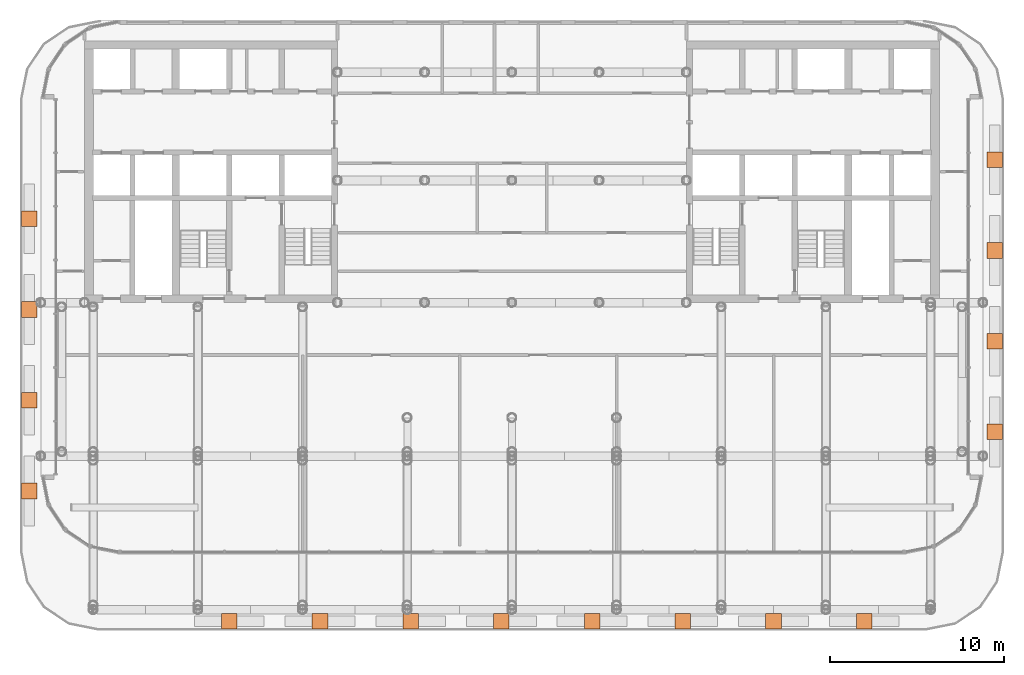
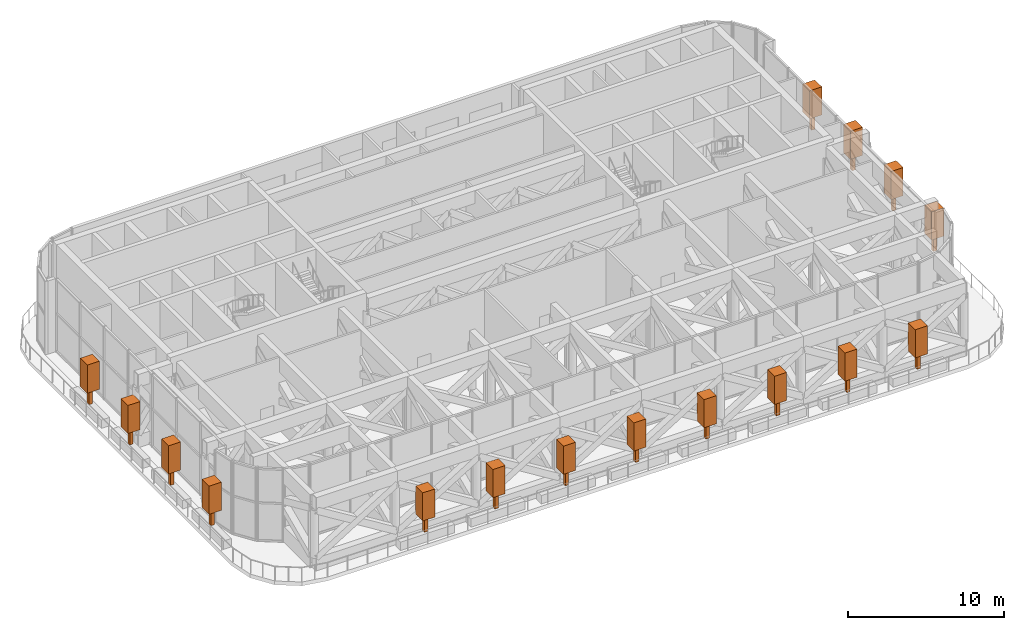
# One storey, part 20 of 20: 16 geographic elements.
"""IFC4 building model written with IfcOpenShell, lengths in metres."""

import ifcopenshell
import ifcopenshell.guid

model = None  # the IFC model being written
_history = None  # IfcOwnerHistory: only IFC2X3 demands one
_inside = {}  # id of a spatial element -> (the spatial element, [elements in it])
_under = {}  # id of a project, library or spatial element -> (it, [spatial elements below it])
_declared = {}  # id of a project -> (the project, [libraries it declares])
_typed = {}  # id of a type object -> (the type object, [elements of that type])
_made_of = {}  # id of a material, layer set ... -> (it, [elements and type objects made of it])


def new_model(schema):
    """Start an empty IFC model of exactly this schema.

    Asked for "IFC4X3", IfcOpenShell would pick the latest addendum, in which some entities
    have other attributes; the version numbers below select the first issue.
    IFC2X3 requires an IfcOwnerHistory on every rooted entity: one is made here for all.
    """
    global model, _history
    if schema == "IFC4X3":
        model = ifcopenshell.file(schema_version=(4, 3, 0, 0))
    else:
        model = ifcopenshell.file(schema=schema)
    _inside.clear()
    _under.clear()
    _declared.clear()
    _typed.clear()
    _made_of.clear()
    _history = None
    if model.schema == "IFC2X3":
        org = make("IfcOrganization", Name="unknown")
        user = make(
            "IfcPersonAndOrganization",
            ThePerson=make("IfcPerson", FamilyName="unknown"),
            TheOrganization=org,
        )
        app = make(
            "IfcApplication",
            ApplicationDeveloper=org,
            Version="unknown",
            ApplicationFullName="unknown",
            ApplicationIdentifier="unknown",
        )
        _history = make(
            "IfcOwnerHistory",
            OwningUser=user,
            OwningApplication=app,
            ChangeAction="ADDED",
            CreationDate=0,
        )
    return model


def make(cls, **values):
    """One entity of the class cls with the attributes given. An attribute that is None is left unset."""
    return model.create_entity(
        cls, **{name: value for name, value in values.items() if value is not None}
    )


def rooted(cls, **values):
    """An entity with a GlobalId (a new one), such as an element, a storey or a relation."""
    return make(cls, GlobalId=ifcopenshell.guid.new(), OwnerHistory=_history, **values)


def si_unit(unit_type, name, prefix=None):
    """IfcSIUnit, for example si_unit("LENGTHUNIT", "METRE", prefix="MILLI")."""
    return make("IfcSIUnit", UnitType=unit_type, Prefix=prefix, Name=name)


def assignment(units):
    """IfcUnitAssignment: the units of a project."""
    return None if units is None else make("IfcUnitAssignment", Units=units)


def point(xyz):
    """IfcCartesianPoint."""
    return None if xyz is None else make("IfcCartesianPoint", Coordinates=xyz)


def direction(xyz):
    """IfcDirection."""
    return None if xyz is None else make("IfcDirection", DirectionRatios=xyz)


def frame(location, z_axis=None, x_axis=None):
    """IfcAxis2Placement3D, a coordinate frame: its origin and axes. An axis left out is left unset."""
    return make(
        "IfcAxis2Placement3D",
        Location=point(location),
        Axis=direction(z_axis),
        RefDirection=direction(x_axis),
    )


def frame_2d(location, x_axis=None):
    """IfcAxis2Placement2D, a coordinate frame in the plane: its origin and x axis."""
    return make(
        "IfcAxis2Placement2D", Location=point(location), RefDirection=direction(x_axis)
    )


def origin():
    """The frame at (0, 0, 0) with its axes left unset."""
    return frame((0.0, 0.0, 0.0))


def origin_2d():
    """The frame at (0, 0) in the plane with its x axis left unset."""
    return frame_2d((0.0, 0.0))


def place(relative_to, where):
    """IfcLocalPlacement: puts the frame where relative to a parent placement (None: the world)."""
    return make(
        "IfcLocalPlacement", PlacementRelTo=relative_to, RelativePlacement=where
    )


def context(
    kind, dimensions, precision=None, world=None, true_north=None, identifier=None
):
    """IfcGeometricRepresentationContext, for example the 3D "Model" context."""
    return make(
        "IfcGeometricRepresentationContext",
        ContextIdentifier=identifier,
        ContextType=kind,
        CoordinateSpaceDimension=dimensions,
        Precision=precision,
        WorldCoordinateSystem=world,
        TrueNorth=true_north,
    )


def subcontext(parent, identifier, kind, view, scale=None):
    """IfcGeometricRepresentationSubContext, for example "Body" below "Model"."""
    return make(
        "IfcGeometricRepresentationSubContext",
        ContextIdentifier=identifier,
        ContextType=kind,
        ParentContext=parent,
        TargetScale=scale,
        TargetView=view,
    )


def project(units=None, contexts=None):
    """IfcProject with its units and contexts."""
    return rooted(
        "IfcProject",
        Name="project",
        RepresentationContexts=contexts,
        UnitsInContext=assignment(units),
    )


def spatial(cls, under=None, at=None, **own):
    """A site, building, storey or space (cls), placed at a placement, below another one or the project."""
    s = rooted(cls, ObjectPlacement=at, **own)
    if under is not None:
        _under.setdefault(under.id(), (under, []))[1].append(s)
    return s


def profile(cls, at=None, kind="AREA", **sizes):
    """A parametric profile (cls). Its sizes go by their IFC names, for example OverallWidth=200.0."""
    return make(cls, ProfileType=kind, Position=at, **sizes)


def rectangle(**sizes):
    """IfcRectangleProfileDef."""
    return profile("IfcRectangleProfileDef", **sizes)


def extrude(swept, where, along, depth):
    """IfcExtrudedAreaSolid: the profile swept, set in the frame where, extruded along a direction by depth."""
    return make(
        "IfcExtrudedAreaSolid",
        SweptArea=swept,
        Position=where,
        ExtrudedDirection=direction(along),
        Depth=depth,
    )


def shape(context_of_items, identifier, shape_type, items):
    """IfcShapeRepresentation: the items that make up one representation, for example the "Body"."""
    return make(
        "IfcShapeRepresentation",
        ContextOfItems=context_of_items,
        RepresentationIdentifier=identifier,
        RepresentationType=shape_type,
        Items=items,
    )


def material(Name=None, Category=None):
    """IfcMaterial."""
    return make("IfcMaterial", Name=Name, Category=Category)


def made_of(thing, what):
    """Note that an element or type object is made of a material, layer set ...; save() writes the relation."""
    if what is not None:
        _made_of.setdefault(what.id(), (what, []))[1].append(thing)
    return thing


def element(
    cls,
    number,
    at=None,
    inside=None,
    cuts=None,
    type_object=None,
    material=None,
    context=None,
    identifier="Body",
    shape_type=None,
    held_by="IfcProductDefinitionShape",
    body=None,
    shapes=None,
    **own,
):
    """One element of the class cls, such as IfcWall. Its Tag is "e" and its number.

    at: its placement. inside: the storey or other place that contains it. cuts: it is an
    opening in that element (IfcRelVoidsElement). A single representation is given by context,
    identifier, shape_type and body (its items); several are given by shapes. held_by: the class
    of the entity that holds the representations. save() writes the other relations.
    """
    e = rooted(cls, Tag="e%d" % number, ObjectPlacement=at, **own)
    if body is not None:
        shapes = [shape(context, identifier, shape_type, body)]
    if shapes is not None:
        e.Representation = make(held_by, Representations=shapes)
    if inside is not None:
        _inside.setdefault(inside.id(), (inside, []))[1].append(e)
    if cuts is not None:
        rooted(
            "IfcRelVoidsElement", RelatingBuildingElement=cuts, RelatedOpeningElement=e
        )
    if type_object is not None:
        _typed.setdefault(type_object.id(), (type_object, []))[1].append(e)
    return made_of(e, material)


def aggregate(whole, parts):
    """IfcRelAggregates: a whole, such as a stair, and the parts it consists of."""
    return rooted("IfcRelAggregates", RelatingObject=whole, RelatedObjects=parts)


def save(model, path):
    """Write the relations noted so far, then the file.

    IfcRelAggregates (storeys below a building ...), IfcRelContainedInSpatialStructure (elements
    in a storey), IfcRelDefinesByType, IfcRelAssociatesMaterial and IfcRelDeclares: one each for
    every whole, place, type object, material and project.
    """
    for whole, parts in _under.values():
        aggregate(whole, parts)
    for where, things in _inside.values():
        rooted(
            "IfcRelContainedInSpatialStructure",
            RelatedElements=things,
            RelatingStructure=where,
        )
    for kind, things in _typed.values():
        rooted("IfcRelDefinesByType", RelatedObjects=things, RelatingType=kind)
    for what, things in _made_of.values():
        rooted("IfcRelAssociatesMaterial", RelatedObjects=things, RelatingMaterial=what)
    for by, libraries in _declared.values():
        rooted("IfcRelDeclares", RelatingContext=by, RelatedDefinitions=libraries)
    model.write(path)


model = new_model("IFC4")

# Units and contexts
model_context = context("Model", 3, precision=1e-05, world=origin(), true_north=direction((0.0, 1.0)))
body_context = subcontext(model_context, "Body", "Model", "MODEL_VIEW")
ifc_project = project(units=[si_unit("LENGTHUNIT", "METRE"), si_unit("AREAUNIT", "SQUARE_METRE"), si_unit("VOLUMEUNIT", "CUBIC_METRE"), si_unit("PLANEANGLEUNIT", "RADIAN"), si_unit("MASSUNIT", "GRAM", prefix="KILO")], contexts=[model_context])

# Site, building, storey
site_placement = place(None, origin())
site = spatial("IfcSite", under=ifc_project, at=site_placement, CompositionType="ELEMENT")
building_placement = place(site_placement, origin())
building = spatial("IfcBuilding", under=site, at=building_placement, Name="Torana Hotel and Residences", CompositionType="ELEMENT")
storey_placement = place(building_placement, frame((0.0, 0.0, 177.60009765625)))
storey = spatial("IfcBuildingStorey", under=building, at=storey_placement, Name="L46", CompositionType="ELEMENT", Elevation=177.60009765625)

# Geographic elements
ifc_material = material(Name="Foliage", Category="planting")
for number, where, z_axis, x_axis, name in (
    (1, (27.669921875, -6.807861328125, 0.64990234375), (0.0, 0.0, 1.0), (1.0, 0.0, 0.0), "Tree L46 1.1"),
    (2, (27.669921875, -12.0078125, 0.64990234375), (0.0, 0.0, 1.0), (1.0, 0.0, 0.0), "Tree L46 1.2"),
    (3, (27.669921875, -17.2080078125, 0.64990234375), (0.0, 0.0, 1.0), (1.0, 0.0, 0.0), "Tree L46 1.3"),
    (4, (27.669921875, -22.407958984375, 0.64990234375), (0.0, 0.0, 1.0), (1.0, 0.0, 0.0), "Tree L46 1.4"),
    (5, (20.192138671875, -33.27001953125, 0.64990234375), (0.0, 0.0, 1.0), (1.0, 0.0, 0.0), "Tree L46 1.5"),
    (6, (14.9921875, -33.27001953125, 0.64990234375), (0.0, 0.0, 1.0), (1.0, 0.0, 0.0), "Tree L46 1.6"),
    (7, (9.7919921875, -33.27001953125, 0.64990234375), (0.0, 0.0, 1.0), (1.0, 0.0, 0.0), "Tree L46 1.7"),
    (8, (4.592041015625, -33.27001953125, 0.64990234375), (0.0, 0.0, 1.0), (1.0, 0.0, 0.0), "Tree L46 1.8"),
    (9, (-0.60791015625, -33.27001953125, 0.64990234375), (0.0, 0.0, 1.0), (1.0, 0.0, 0.0), "Tree L46 1.9"),
    (10, (-5.807861328125, -33.27001953125, 0.64990234375), (0.0, 0.0, 1.0), (1.0, 0.0, 0.0), "Tree L46 1.10"),
    (11, (-11.0078125, -33.27001953125, 0.64990234375), (0.0, 0.0, 1.0), (1.0, 0.0, 0.0), "Tree L46 1.11"),
    (12, (-16.2080078125, -33.27001953125, 0.64990234375), (0.0, 0.0, 1.0), (1.0, 0.0, 0.0), "Tree L46 1.12"),
    (13, (-27.669921875, -25.7919921875, 0.64990234375), (0.0, 0.0, 1.0), (1.0, 0.0, 0.0), "Tree L46 1.13"),
    (14, (-27.669921875, -20.592041015625, 0.64990234375), (0.0, 0.0, 1.0), (1.0, 0.0, 0.0), "Tree L46 1.14"),
    (15, (-27.669921875, -15.39208984375, 0.64990234375), (0.0, 0.0, 1.0), (1.0, 0.0, 0.0), "Tree L46 1.15"),
    (16, (-27.669921875, -10.192138671875, 0.64990234375), (0.0, 0.0, 1.0), (1.0, 0.0, 0.0), "Tree L46 1.16"),
):
    element("IfcGeographicElement", number, at=place(storey_placement, frame(where, z_axis=z_axis, x_axis=x_axis)), inside=storey, material=ifc_material, Name=name, ObjectType="TREE", PredefinedType="USERDEFINED", context=body_context, shape_type="SweptSolid", body=[
        extrude(rectangle(XDim=0.25, YDim=0.25, at=origin_2d()), origin(), (0.0, 0.0, 1.0), 1.199951171875),
        extrude(rectangle(XDim=0.89990234375, YDim=0.89990234375, at=origin_2d()), frame((0.0, 0.0, 1.199951171875)), (0.0, 0.0, 1.0), 2.199951171875),
    ])

save(model, "model.ifc")
